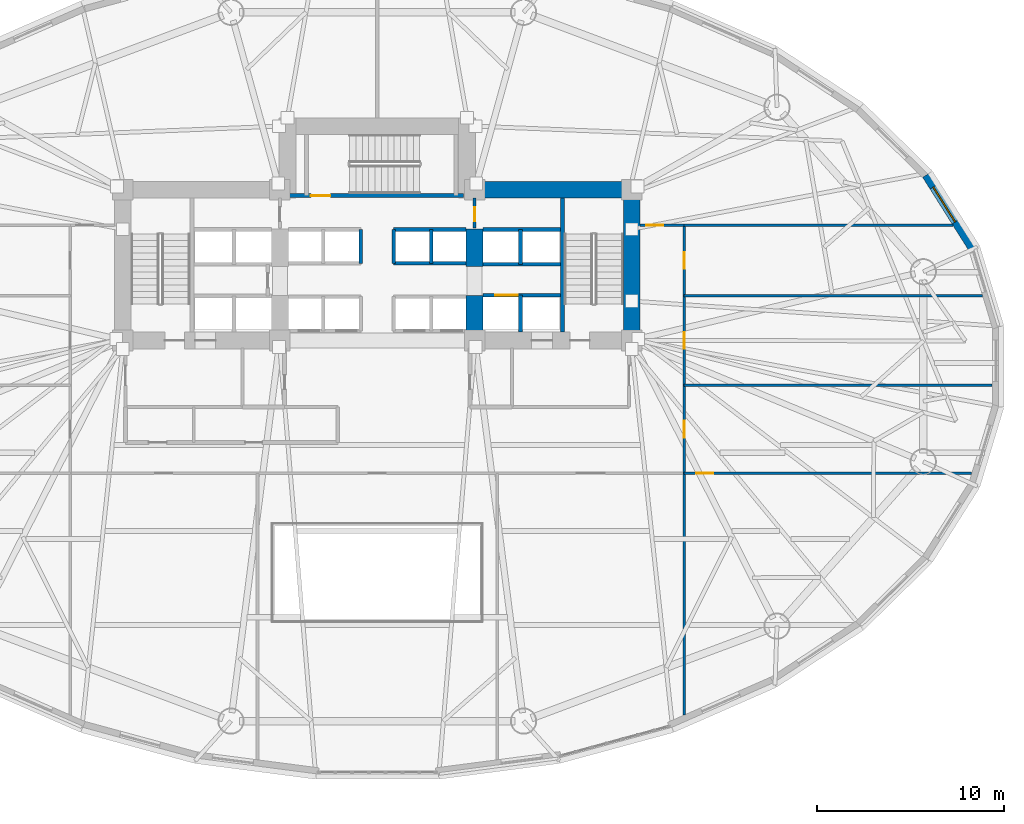
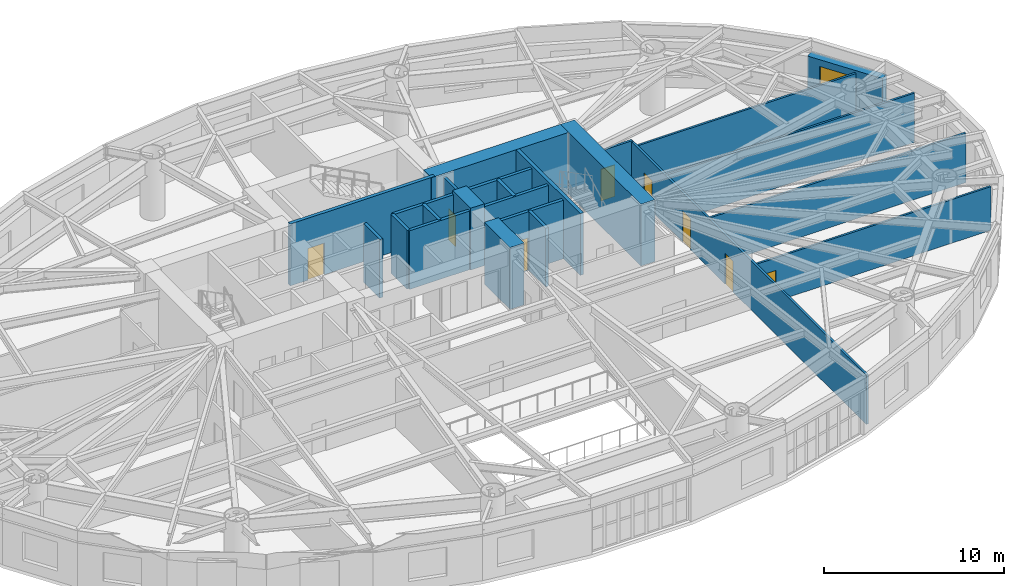
# One storey, part 11 of 19: 24 walls, 8 doors, 1 window, 9 openings.
"""IFC4 building model written with IfcOpenShell, lengths in metres."""

from ifc_helpers import new_model, si_unit, direction, frame, frame_2d, origin, place, context, subcontext, project, spatial, rectangle, extrude, material, layer, layer_set, type_object, element, fill, save


model = new_model("IFC4")

# Units and contexts
model_context = context("Model", 3, precision=1e-05, world=origin(), true_north=direction((0.0, 1.0)))
body_context = subcontext(model_context, "Body", "Model", "MODEL_VIEW")
ifc_project = project(units=[si_unit("LENGTHUNIT", "METRE"), si_unit("AREAUNIT", "SQUARE_METRE"), si_unit("VOLUMEUNIT", "CUBIC_METRE"), si_unit("PLANEANGLEUNIT", "RADIAN"), si_unit("MASSUNIT", "GRAM", prefix="KILO")], contexts=[model_context])

# Site, building, storey
site_placement = place(None, origin())
site = spatial("IfcSite", under=ifc_project, at=site_placement, CompositionType="ELEMENT")
building_placement = place(site_placement, origin())
building = spatial("IfcBuilding", under=site, at=building_placement, Name="Keldmark Tower", CompositionType="ELEMENT")
storey_placement = place(building_placement, frame((0.0, 0.0, 10.199951171875)))
storey = spatial("IfcBuildingStorey", under=building, at=storey_placement, Name="L02", CompositionType="ELEMENT", Elevation=10.199951171875)

# Wall, openings, doors
ifc_material_1 = material(Name="Acoustic Double-Layer Gypsum Corridor Partition", Category="gypsum")
ifc_layer_1 = layer(ifc_material_1, 0.139892578125)
ifc_layer_set_1 = layer_set([ifc_layer_1], Name="Acoustic Double-Layer Gypsum Corridor Partition")
wall_type_1 = type_object("IfcWallType", Name="Acoustic Corridor Partition 140 mm", PredefinedType="PARTITIONING", material=ifc_layer_set_1)
wall_1_placement = place(storey_placement, frame((16.39990234375, -18.6025390625, 0.0), z_axis=(0.0, 0.0, 1.0), x_axis=(0.0, 1.0, 0.0)))
wall_1 = element("IfcWall", 1, at=wall_1_placement, inside=storey, type_object=wall_type_1, Name="L02 Acoustic Corridor Partition 140 mm COR-E", PredefinedType="PARTITIONING", context=body_context, shape_type="SweptSolid", body=[
    extrude(rectangle(XDim=26.152587890625, YDim=0.139892578125, at=frame_2d((13.076171875, 0.0))), origin(), (0.0, 0.0, 1.0), 3.34814453125),
])
opening_1_placement = place(wall_1_placement, frame((14.80224609375, 0.0, 0.0)))
opening_1 = element("IfcOpeningElement", 2, at=opening_1_placement, cuts=wall_1, Name="Opening D-IN090", PredefinedType="OPENING", context=body_context, shape_type="SweptSolid", body=[
    extrude(rectangle(XDim=0.89990234375, YDim=2.10009765625, at=frame_2d((0.449951171875, 1.050048828125))), frame((0.0, 0.079833984375, 0.0), z_axis=(0.0, -1.0, 0.0), x_axis=(1.0, 0.0, 0.0)), (0.0, 0.0, 1.0), 0.159912109375),
])
opening_2_placement = place(wall_1_placement, frame((19.55224609375, 0.0, 0.0)))
opening_2 = element("IfcOpeningElement", 3, at=opening_2_placement, cuts=wall_1, Name="Opening D-IN090", PredefinedType="OPENING", context=body_context, shape_type="SweptSolid", body=[
    extrude(rectangle(XDim=0.89990234375, YDim=2.10009765625, at=frame_2d((0.449951171875, 1.050048828125))), frame((0.0, 0.079833984375, 0.0), z_axis=(0.0, -1.0, 0.0), x_axis=(1.0, 0.0, 0.0)), (0.0, 0.0, 1.0), 0.159912109375),
])
opening_3_placement = place(wall_1_placement, frame((23.827392578125, 0.0, 0.0)))
opening_3 = element("IfcOpeningElement", 4, at=opening_3_placement, cuts=wall_1, Name="Opening D-IN090", PredefinedType="OPENING", context=body_context, shape_type="SweptSolid", body=[
    extrude(rectangle(XDim=0.89990234375, YDim=2.10009765625, at=frame_2d((0.449951171875, 1.050048828125))), frame((0.0, 0.079833984375, 0.0), z_axis=(0.0, -1.0, 0.0), x_axis=(1.0, 0.0, 0.0)), (0.0, 0.0, 1.0), 0.159912109375),
])
ifc_material_2 = material(Name="Stained American White Oak Veneer", Category="wood")
door_type_1 = type_object("IfcDoorType", Name="Interior Door 900x2100", OperationType="NOTDEFINED", PredefinedType="DOOR", material=ifc_material_2)
door_1_placement = place(opening_1_placement, origin())
door_1 = element("IfcDoor", 5, at=door_1_placement, inside=storey, type_object=door_type_1, Name="L02 Interior Door 900x2100 D-ER-1-L02", OperationType="SINGLE_SWING_RIGHT", OverallHeight=2.10009765625, OverallWidth=0.89990234375, PredefinedType="DOOR", context=body_context, shape_type="SweptSolid", body=[
    extrude(rectangle(XDim=0.89990234375, YDim=2.10009765625, at=frame_2d((0.449951171875, 1.050048828125))), frame((0.0, 0.02490234375, 0.0), z_axis=(0.0, -1.0, 0.0), x_axis=(1.0, 0.0, 0.0)), (0.0, 0.0, 1.0), 0.050048828125),
])
fill(opening_1, door_1)
door_2_placement = place(opening_2_placement, origin())
door_2 = element("IfcDoor", 6, at=door_2_placement, inside=storey, type_object=door_type_1, Name="L02 Interior Door 900x2100 D-ER-2-L02", OperationType="SINGLE_SWING_LEFT", OverallHeight=2.10009765625, OverallWidth=0.89990234375, PredefinedType="DOOR", context=body_context, shape_type="SweptSolid", body=[
    extrude(rectangle(XDim=0.89990234375, YDim=2.10009765625, at=frame_2d((0.449951171875, 1.050048828125))), frame((0.0, 0.02490234375, 0.0), z_axis=(0.0, -1.0, 0.0), x_axis=(1.0, 0.0, 0.0)), (0.0, 0.0, 1.0), 0.050048828125),
])
fill(opening_2, door_2)
door_3_placement = place(opening_3_placement, origin())
door_3 = element("IfcDoor", 7, at=door_3_placement, inside=storey, type_object=door_type_1, Name="L02 Interior Door 900x2100 D-ER-3-L02", OperationType="SINGLE_SWING_RIGHT", OverallHeight=2.10009765625, OverallWidth=0.89990234375, PredefinedType="DOOR", context=body_context, shape_type="SweptSolid", body=[
    extrude(rectangle(XDim=0.89990234375, YDim=2.10009765625, at=frame_2d((0.449951171875, 1.050048828125))), frame((0.0, 0.02490234375, 0.0), z_axis=(0.0, -1.0, 0.0), x_axis=(1.0, 0.0, 0.0)), (0.0, 0.0, 1.0), 0.050048828125),
])
fill(opening_3, door_3)

# Wall, opening, door
wall_2_placement = place(storey_placement, frame((14.050048828125, 7.550048828125, 0.0), z_axis=(0.0, 0.0, 1.0), x_axis=(1.0, 0.0, 0.0)))
wall_2 = element("IfcWall", 8, at=wall_2_placement, inside=storey, type_object=wall_type_1, Name="L02 Acoustic Corridor Partition 140 mm COR-EN-CAP", PredefinedType="PARTITIONING", context=body_context, shape_type="SweptSolid", body=[
    extrude(rectangle(XDim=2.349853515625, YDim=0.139892578125, at=frame_2d((1.1748046875, 0.0))), origin(), (0.0, 0.0, 1.0), 3.43310546875),
])
opening_4_placement = place(wall_2_placement, frame((0.320068359375, 0.0, 0.0)))
opening_4 = element("IfcOpeningElement", 9, at=opening_4_placement, cuts=wall_2, Name="Opening D-EX092", PredefinedType="OPENING", context=body_context, shape_type="SweptSolid", body=[
    extrude(rectangle(XDim=0.919921875, YDim=2.14990234375, at=frame_2d((0.4599609375, 1.074951171875))), frame((0.0, 0.079833984375, 0.0), z_axis=(0.0, -1.0, 0.0), x_axis=(1.0, 0.0, 0.0)), (0.0, 0.0, 1.0), 0.159912109375),
])
ifc_material_3 = material(Name="Flush American Ash Executive Office Door", Category="wood")
door_type_2 = type_object("IfcDoorType", Name="Executive Office Door 920x2150", OperationType="NOTDEFINED", PredefinedType="DOOR", material=ifc_material_3)
door_4_placement = place(opening_4_placement, origin())
door_4 = element("IfcDoor", 10, at=door_4_placement, inside=storey, type_object=door_type_2, Name="L02 Executive Office Door 920x2150 D-NRNE-L02", OperationType="SINGLE_SWING_RIGHT", OverallHeight=2.14990234375, OverallWidth=0.919921875, PredefinedType="DOOR", context=body_context, shape_type="SweptSolid", body=[
    extrude(rectangle(XDim=0.919921875, YDim=2.14990234375, at=frame_2d((0.4599609375, 1.074951171875))), frame((0.0, 0.02490234375, 0.0), z_axis=(0.0, -1.0, 0.0), x_axis=(1.0, 0.0, 0.0)), (0.0, 0.0, 1.0), 0.050048828125),
])
fill(opening_4, door_4)

# Wall
ifc_material_4 = material(Name="Acoustic Gypsum Board Interior Partition", Category="gypsum")
ifc_layer_2 = layer(ifc_material_4, 0.1298828125)
ifc_layer_set_2 = layer_set([ifc_layer_2], Name="Acoustic Gypsum Board Interior Partition")
wall_type_2 = type_object("IfcWallType", Name="Interior Partition 130 mm", PredefinedType="PARTITIONING", material=ifc_layer_set_2)
wall_3_placement = place(storey_placement, frame((16.39990234375, 7.550048828125, 0.0), z_axis=(0.0, 0.0, 1.0), x_axis=(1.0, 0.0, 0.0)))
element("IfcWall", 11, at=wall_3_placement, inside=storey, type_object=wall_type_2, Name="L02 Interior Partition 130 mm E-CAP-N", PredefinedType="PARTITIONING", context=body_context, shape_type="SweptSolid", body=[
    extrude(rectangle(XDim=14.3466796875, YDim=0.1298828125, at=frame_2d((7.17333984375, 0.0))), origin(), (0.0, 0.0, 1.0), 2.9580078125),
])

# Wall, opening, door
wall_4_placement = place(storey_placement, frame((16.39990234375, -5.699951171875, 0.0), z_axis=(0.0, 0.0, 1.0), x_axis=(1.0, 0.0, 0.0)))
wall_4 = element("IfcWall", 12, at=wall_4_placement, inside=storey, type_object=wall_type_2, Name="L02 Interior Partition 130 mm E-CAP-S", PredefinedType="PARTITIONING", context=body_context, shape_type="SweptSolid", body=[
    extrude(rectangle(XDim=15.355712890625, YDim=0.1298828125, at=frame_2d((7.677734375, 0.0))), origin(), (0.0, 0.0, 1.0), 2.9580078125),
])
opening_5_placement = place(wall_4_placement, frame((0.64990234375, 0.0, 0.0)))
opening_5 = element("IfcOpeningElement", 13, at=opening_5_placement, cuts=wall_4, Name="Opening D-IN090", PredefinedType="OPENING", context=body_context, shape_type="SweptSolid", body=[
    extrude(rectangle(XDim=0.89990234375, YDim=2.10009765625, at=frame_2d((0.449951171875, 1.050048828125))), frame((0.0, 0.074951171875, 0.0), z_axis=(0.0, -1.0, 0.0), x_axis=(1.0, 0.0, 0.0)), (0.0, 0.0, 1.0), 0.14990234375),
])
door_5_placement = place(opening_5_placement, origin())
door_5 = element("IfcDoor", 14, at=door_5_placement, inside=storey, type_object=door_type_1, Name="L02 Interior Door 900x2100 D-ERSE-L02", OperationType="SINGLE_SWING_RIGHT", OverallHeight=2.10009765625, OverallWidth=0.89990234375, PredefinedType="DOOR", context=body_context, shape_type="SweptSolid", body=[
    extrude(rectangle(XDim=0.89990234375, YDim=2.10009765625, at=frame_2d((0.449951171875, 1.050048828125))), frame((0.0, 0.02490234375, 0.0), z_axis=(0.0, -1.0, 0.0), x_axis=(1.0, 0.0, 0.0)), (0.0, 0.0, 1.0), 0.050048828125),
])
fill(opening_5, door_5)

# Walls
wall_5_placement = place(storey_placement, frame((16.39990234375, -1.0, 0.0), z_axis=(0.0, 0.0, 1.0), x_axis=(1.0, 0.0, 0.0)))
element("IfcWall", 15, at=wall_5_placement, inside=storey, type_object=wall_type_2, Name="L02 Interior Partition 130 mm E-DIV-1", PredefinedType="PARTITIONING", context=body_context, shape_type="SweptSolid", body=[
    extrude(rectangle(XDim=16.45068359375, YDim=0.1298828125, at=frame_2d((8.225341796875, 0.0))), origin(), (0.0, 0.0, 1.0), 3.34814453125),
])
wall_6_placement = place(storey_placement, frame((16.39990234375, 3.800048828125, 0.0), z_axis=(0.0, 0.0, 1.0), x_axis=(1.0, 0.0, 0.0)))
element("IfcWall", 16, at=wall_6_placement, inside=storey, type_object=wall_type_2, Name="L02 Interior Partition 130 mm E-DIV-2", PredefinedType="PARTITIONING", context=body_context, shape_type="SweptSolid", body=[
    extrude(rectangle(XDim=15.93115234375, YDim=0.1298828125, at=frame_2d((7.965576171875, 0.0))), origin(), (0.0, 0.0, 1.0), 3.34814453125),
])
ifc_material_5 = material(Name="Concrete C70/85", Category="concrete")
ifc_layer_3 = layer(ifc_material_5, 0.89990234375)
ifc_layer_set_3 = layer_set([ifc_layer_3], Name="Concrete C70/85")
wall_type_3 = type_object("IfcWallType", Name="Lower Core Shear Wall 900 mm", PredefinedType="SHEAR", material=ifc_layer_set_3)
wall_7_placement = place(storey_placement, frame((13.60009765625, 0.949951171875, 0.0), z_axis=(0.0, 0.0, 1.0), x_axis=(0.0, 1.0, 0.0)))
element("IfcWall", 17, at=wall_7_placement, inside=storey, type_object=wall_type_3, Name="L02 East Core Outer Shear Wall", PredefinedType="SHEAR", context=body_context, shape_type="SweptSolid", body=[
    extrude(rectangle(XDim=8.949951171875, YDim=0.89990234375, at=frame_2d((4.47509765625, 0.0))), origin(), (0.0, 0.0, 1.0), 4.199951171875),
])
wall_8_placement = place(storey_placement, frame((4.35009765625, 9.449951171875, 0.0), z_axis=(0.0, 0.0, 1.0), x_axis=(1.0, 0.0, 0.0)))
element("IfcWall", 18, at=wall_8_placement, inside=storey, type_object=wall_type_3, Name="L02 East Core North Shear Wall", PredefinedType="SHEAR", context=body_context, shape_type="SweptSolid", body=[
    extrude(rectangle(XDim=9.699951171875, YDim=0.89990234375, at=frame_2d((4.85009765625, 0.0))), origin(), (0.0, 0.0, 1.0), 4.199951171875),
])
wall_9_placement = place(storey_placement, frame((5.199951171875, 0.949951171875, 0.0), z_axis=(0.0, 0.0, 1.0), x_axis=(0.0, 1.0, 0.0)))
element("IfcWall", 19, at=wall_9_placement, inside=storey, type_object=wall_type_3, Name="L02 East Core Inner Shear Pier South", PredefinedType="SHEAR", context=body_context, shape_type="SweptSolid", body=[
    extrude(rectangle(XDim=2.85009765625, YDim=0.89990234375, at=frame_2d((1.425048828125, 0.0))), origin(), (0.0, 0.0, 1.0), 4.199951171875),
])
wall_10_placement = place(storey_placement, frame((5.199951171875, 5.35009765625, 0.0), z_axis=(0.0, 0.0, 1.0), x_axis=(0.0, 1.0, 0.0)))
element("IfcWall", 20, at=wall_10_placement, inside=storey, type_object=wall_type_3, Name="L02 East Core Inner Shear Pier North", PredefinedType="SHEAR", context=body_context, shape_type="SweptSolid", body=[
    extrude(rectangle(XDim=2.0, YDim=0.89990234375, at=frame_2d((1.0, 0.0))), origin(), (0.0, 0.0, 1.0), 4.199951171875),
])

# Wall, opening, window
ifc_material_6 = material(Name="Ironspot Manganese Brick and Kasota Buff Limestone Cavity Assembly", Category="masonry")
ifc_layer_4 = layer(ifc_material_6, 0.47998046875)
ifc_layer_set_4 = layer_set([ifc_layer_4], Name="Ironspot Manganese Brick and Kasota Buff Limestone Cavity Assembly")
wall_type_4 = type_object("IfcWallType", Name="Podium Brick and Limestone Cavity Wall 480 mm", PredefinedType="STANDARD", material=ifc_layer_set_4)
wall_11_placement = place(storey_placement, frame((29.34130859375, 10.24267578125, 0.0), z_axis=(0.0, 0.0, 1.0), x_axis=(0.53349762721, -0.845801561693, 0.0)))
wall_11 = element("IfcWall", 21, at=wall_11_placement, inside=storey, type_object=wall_type_4, Name="L02 Exterior Brick and Spandrel Wall 02", PredefinedType="STANDARD", context=body_context, shape_type="SweptSolid", body=[
    extrude(rectangle(XDim=4.710693359375, YDim=0.47998046875, at=frame_2d((2.35546875, 0.0))), origin(), (0.0, 0.0, 1.0), 3.109130859375),
])
opening_6_placement = place(wall_11_placement, frame((0.739990234375, 0.0, 0.699951171875)))
opening_6 = element("IfcOpeningElement", 22, at=opening_6_placement, cuts=wall_11, Name="Opening W-01", PredefinedType="OPENING", context=body_context, shape_type="SweptSolid", body=[
    extrude(rectangle(XDim=2.199951171875, YDim=1.949951171875, at=frame_2d((1.10009765625, 0.97509765625))), frame((0.0, 0.25, 0.0), z_axis=(0.0, -1.0, 0.0), x_axis=(1.0, 0.0, 0.0)), (0.0, 0.0, 1.0), 0.5),
])
ifc_material_7 = material(Name="Thermally Broken Anodized Aluminum and Triple Low-E Argon Glazing", Category="aluminium")
window_type = type_object("IfcWindowType", Name="Podium Arched-Head Punched Window 2200x1950", PartitioningType="SINGLE_PANEL", PredefinedType="WINDOW", material=ifc_material_7)
window_placement = place(opening_6_placement, origin())
window = element("IfcWindow", 23, at=window_placement, inside=storey, type_object=window_type, Name="L02 Deep-Set Window 02", OverallHeight=1.949951171875, OverallWidth=2.199951171875, PartitioningType="SINGLE_PANEL", PredefinedType="WINDOW", context=body_context, shape_type="SweptSolid", body=[
    extrude(rectangle(XDim=2.199951171875, YDim=1.949951171875, at=frame_2d((1.10009765625, 0.97509765625))), frame((0.0, -0.010009765625, 0.0), z_axis=(0.0, -1.0, 0.0), x_axis=(1.0, 0.0, 0.0)), (0.0, 0.0, 1.0), 0.06005859375),
])
fill(opening_6, window)

# Wall, opening, door
ifc_material_8 = material(Name="Type X Fire-Rated Gypsum Partition Assembly", Category="gypsum")
ifc_layer_5 = layer(ifc_material_8, 0.1650390625)
ifc_layer_set_5 = layer_set([ifc_layer_5], Name="Type X Fire-Rated Gypsum Partition Assembly")
wall_type_5 = type_object("IfcWallType", Name="Rated Partition 165 mm", PredefinedType="PARTITIONING", material=ifc_layer_set_5)
wall_12_placement = place(storey_placement, frame((5.199951171875, 7.419921875, 0.0), z_axis=(0.0, 0.0, 1.0), x_axis=(0.0, 1.0, 0.0)))
wall_12 = element("IfcWall", 24, at=wall_12_placement, inside=storey, type_object=wall_type_5, Name="L02 Rated Partition 165 mm CS-NE-W", PredefinedType="PARTITIONING", context=body_context, shape_type="SweptSolid", body=[
    extrude(rectangle(XDim=1.580078125, YDim=0.1650390625, at=frame_2d((0.7900390625, 0.0))), origin(), (0.0, 0.0, 1.0), 3.97998046875),
])
opening_7_placement = place(wall_12_placement, frame((0.35009765625, 0.0, 0.0)))
opening_7 = element("IfcOpeningElement", 25, at=opening_7_placement, cuts=wall_12, Name="Opening D-RS075", PredefinedType="OPENING", context=body_context, shape_type="SweptSolid", body=[
    extrude(rectangle(XDim=0.75, YDim=2.10009765625, at=frame_2d((0.375, 1.050048828125))), frame((0.0, 0.092529296875, 0.0), z_axis=(0.0, -1.0, 0.0), x_axis=(1.0, 0.0, 0.0)), (0.0, 0.0, 1.0), 0.18505859375),
])
ifc_material_9 = material(Name="Galvanized Fire-Rated Access Leaf", Category="metal")
door_type_3 = type_object("IfcDoorType", Name="Riser Access Door 750x2100", OperationType="NOTDEFINED", PredefinedType="DOOR", material=ifc_material_9)
door_6_placement = place(opening_7_placement, origin())
door_6 = element("IfcDoor", 26, at=door_6_placement, inside=storey, type_object=door_type_3, Name="L02 Riser Access Door 750x2100 D-CSNE1-L02", OperationType="SINGLE_SWING_LEFT", OverallHeight=2.10009765625, OverallWidth=0.75, PredefinedType="DOOR", context=body_context, shape_type="SweptSolid", body=[
    extrude(rectangle(XDim=0.75, YDim=2.10009765625, at=frame_2d((0.375, 1.050048828125))), frame((0.0, 0.02490234375, 0.0), z_axis=(0.0, -1.0, 0.0), x_axis=(1.0, 0.0, 0.0)), (0.0, 0.0, 1.0), 0.050048828125),
])
fill(opening_7, door_6)

ifc_material_10 = material(Name="Fire-Resistant Type X Gypsum Shaftliner Coreboard", Category="gypsum")
ifc_layer_6 = layer(ifc_material_10, 0.199951171875)
ifc_layer_set_6 = layer_set([ifc_layer_6], Name="Fire-Resistant Type X Gypsum Shaftliner Coreboard")
wall_type_6 = type_object("IfcWallType", Name="Shaft Wall 200 mm", PredefinedType="SOLIDWALL", material=ifc_layer_set_6)
wall_13_placement = place(storey_placement, frame((5.64990234375, 3.820068359375, 0.0), z_axis=(0.0, 0.0, 1.0), x_axis=(1.0, 0.0, 0.0)))
wall_13 = element("IfcWall", 27, at=wall_13_placement, inside=storey, type_object=wall_type_6, Name="L02 Shaft Wall 200 mm HW-E-S", PredefinedType="SOLIDWALL", context=body_context, shape_type="SweptSolid", body=[
    extrude(rectangle(XDim=4.130126953125, YDim=0.199951171875, at=frame_2d((2.06494140625, 0.0))), origin(), (0.0, 0.0, 1.0), 3.97998046875),
])
opening_8_placement = place(wall_13_placement, frame((0.64990234375, 0.0, 0.0)))
opening_8 = element("IfcOpeningElement", 28, at=opening_8_placement, cuts=wall_13, Name="Opening LD-120", PredefinedType="OPENING", context=body_context, shape_type="SweptSolid", body=[
    extrude(rectangle(XDim=1.199951171875, YDim=2.199951171875, at=frame_2d((0.60009765625, 1.10009765625))), frame((0.0, 0.10986328125, 0.0), z_axis=(0.0, -1.0, 0.0), x_axis=(1.0, 0.0, 0.0)), (0.0, 0.0, 1.0), 0.219970703125),
])
ifc_material_11 = material(Name="Heavy-Duty Brushed Metal Hoistway Sliding Leaf", Category="metal")
door_type_4 = type_object("IfcDoorType", Name="Service Lift Sliding Door 1200x2200", OperationType="SLIDING_TO_RIGHT", PredefinedType="DOOR", material=ifc_material_11)
door_7_placement = place(opening_8_placement, origin())
door_7 = element("IfcDoor", 29, at=door_7_placement, inside=storey, type_object=door_type_4, Name="L02 Service Lift Sliding Door 1200x2200 LD-EL-SV1-L02", OperationType="SLIDING_TO_RIGHT", OverallHeight=2.199951171875, OverallWidth=1.199951171875, PredefinedType="DOOR", context=body_context, shape_type="SweptSolid", body=[
    extrude(rectangle(XDim=1.199951171875, YDim=2.199951171875, at=frame_2d((0.60009765625, 1.10009765625))), frame((0.0, 0.02490234375, 0.0), z_axis=(0.0, -1.0, 0.0), x_axis=(1.0, 0.0, 0.0)), (0.0, 0.0, 1.0), 0.050048828125),
])
fill(opening_8, door_7)

# Walls
wall_14_placement = place(storey_placement, frame((7.64990234375, 1.85009765625, 0.0), z_axis=(0.0, 0.0, 1.0), x_axis=(0.0, 1.0, 0.0)))
element("IfcWall", 30, at=wall_14_placement, inside=storey, type_object=wall_type_6, Name="L02 Shaft Wall 200 mm HW-E-M", PredefinedType="SOLIDWALL", context=body_context, shape_type="SweptSolid", body=[
    extrude(rectangle(XDim=1.969970703125, YDim=0.199951171875, at=frame_2d((0.98486328125, 0.0))), origin(), (0.0, 0.0, 1.0), 3.97998046875),
])
for number, where, z_axis, x_axis, name in (
    (31, (5.64990234375, 5.469970703125, 0.0), (0.0, 0.0, 1.0), (1.0, 0.0, 0.0), "L02 Shaft Wall 200 mm HW-E-N"),
    (32, (5.64990234375, 7.330078125, 0.0), (0.0, 0.0, 1.0), (1.0, 0.0, 0.0), "L02 Shaft Wall 200 mm HW-E-TOP"),
):
    element("IfcWall", number, at=place(storey_placement, frame(where, z_axis=z_axis, x_axis=x_axis)), inside=storey, type_object=wall_type_6, Name=name, PredefinedType="SOLIDWALL", context=body_context, shape_type="SweptSolid", body=[
        extrude(rectangle(XDim=4.130126953125, YDim=0.199951171875, at=frame_2d((2.06494140625, 0.0))), origin(), (0.0, 0.0, 1.0), 3.97998046875),
    ])
wall_15_placement = place(storey_placement, frame((7.64990234375, 5.469970703125, 0.0), z_axis=(0.0, 0.0, 1.0), x_axis=(0.0, 1.0, 0.0)))
element("IfcWall", 33, at=wall_15_placement, inside=storey, type_object=wall_type_6, Name="L02 Shaft Wall 200 mm HW-E-NM", PredefinedType="SOLIDWALL", context=body_context, shape_type="SweptSolid", body=[
    extrude(rectangle(XDim=1.860107421875, YDim=0.199951171875, at=frame_2d((0.93017578125, 0.0))), origin(), (0.0, 0.0, 1.0), 3.97998046875),
])
for number, where, z_axis, x_axis, name in (
    (34, (0.8798828125, 5.52001953125, 0.0), (0.0, 0.0, 1.0), (1.0, 0.0, 0.0), "L02 Shaft Wall 200 mm MID-S-E"),
    (35, (0.8798828125, 7.330078125, 0.0), (0.0, 0.0, 1.0), (1.0, 0.0, 0.0), "L02 Shaft Wall 200 mm MID-N-E"),
):
    element("IfcWall", number, at=place(storey_placement, frame(where, z_axis=z_axis, x_axis=x_axis)), inside=storey, type_object=wall_type_6, Name=name, PredefinedType="SOLIDWALL", context=body_context, shape_type="SweptSolid", body=[
        extrude(rectangle(XDim=3.860107421875, YDim=0.199951171875, at=frame_2d((1.93017578125, 0.0))), origin(), (0.0, 0.0, 1.0), 3.97998046875),
    ])
for number, where, z_axis, x_axis, name in (
    (36, (2.8798828125, 5.52001953125, 0.0), (0.0, 0.0, 1.0), (0.0, 1.0, 0.0), "L02 Shaft Wall 200 mm MID-M-E"),
    (37, (-0.8798828125, 5.52001953125, 0.0), (0.0, 0.0, 1.0), (0.0, 1.0, 0.0), "L02 Shaft Wall 200 mm MID-C-W"),
    (38, (0.8798828125, 5.52001953125, 0.0), (0.0, 0.0, 1.0), (0.0, 1.0, 0.0), "L02 Shaft Wall 200 mm MID-C-E"),
):
    element("IfcWall", number, at=place(storey_placement, frame(where, z_axis=z_axis, x_axis=x_axis)), inside=storey, type_object=wall_type_6, Name=name, PredefinedType="SOLIDWALL", context=body_context, shape_type="SweptSolid", body=[
        extrude(rectangle(XDim=1.81005859375, YDim=0.199951171875, at=frame_2d((0.905029296875, 0.0))), origin(), (0.0, 0.0, 1.0), 3.97998046875),
    ])
ifc_material_12 = material(Name="Concrete C50/60", Category="concrete")
ifc_layer_7 = layer(ifc_material_12, 0.219970703125)
ifc_layer_set_7 = layer_set([ifc_layer_7], Name="Concrete C50/60")
wall_type_7 = type_object("IfcWallType", Name="Stair Core Shear Wall 220 mm", PredefinedType="SHEAR", material=ifc_layer_set_7)
wall_16_placement = place(storey_placement, frame((9.889892578125, 1.85009765625, 0.0), z_axis=(0.0, 0.0, 1.0), x_axis=(0.0, 1.0, 0.0)))
element("IfcWall", 39, at=wall_16_placement, inside=storey, type_object=wall_type_7, Name="L02 East Stair Core Shear Wall", PredefinedType="SHEAR", context=body_context, shape_type="SweptSolid", body=[
    extrude(rectangle(XDim=7.14990234375, YDim=0.219970703125, at=frame_2d((3.574951171875, 0.0))), origin(), (0.0, 0.0, 1.0), 4.199951171875),
])

# Wall, opening, door
wall_17_placement = place(storey_placement, frame((-4.699951171875, 9.139892578125, 0.0), z_axis=(0.0, 0.0, 1.0), x_axis=(1.0, 0.0, 0.0)))
wall_17 = element("IfcWall", 40, at=wall_17_placement, inside=storey, type_object=wall_type_7, Name="L02 Central Stair Core South Shear Wall", PredefinedType="SHEAR", context=body_context, shape_type="SweptSolid", body=[
    extrude(rectangle(XDim=9.300048828125, YDim=0.219970703125, at=frame_2d((4.64990234375, 0.0))), origin(), (0.0, 0.0, 1.0), 4.199951171875),
])
opening_9_placement = place(wall_17_placement, frame((1.14990234375, 0.0, 0.0)))
opening_9 = element("IfcOpeningElement", 41, at=opening_9_placement, cuts=wall_17, Name="Opening D-ST105", PredefinedType="OPENING", context=body_context, shape_type="SweptSolid", body=[
    extrude(rectangle(XDim=1.050048828125, YDim=2.14990234375, at=frame_2d((0.52490234375, 1.074951171875))), frame((0.0, 0.119873046875, 0.0), z_axis=(0.0, -1.0, 0.0), x_axis=(1.0, 0.0, 0.0)), (0.0, 0.0, 1.0), 0.239990234375),
])
ifc_material_13 = material(Name="Hollow Metal Fire-Rated Door Assembly", Category="metal")
door_type_5 = type_object("IfcDoorType", Name="Stair Fire Door 1050x2150", OperationType="NOTDEFINED", PredefinedType="DOOR", material=ifc_material_13)
door_8_placement = place(opening_9_placement, origin())
door_8 = element("IfcDoor", 42, at=door_8_placement, inside=storey, type_object=door_type_5, Name="L02 Stair Fire Door 1050x2150 D-ST3-L02", OperationType="SINGLE_SWING_RIGHT", OverallHeight=2.14990234375, OverallWidth=1.050048828125, PredefinedType="DOOR", context=body_context, shape_type="SweptSolid", body=[
    extrude(rectangle(XDim=1.050048828125, YDim=2.14990234375, at=frame_2d((0.52490234375, 1.074951171875))), frame((0.0, 0.02490234375, 0.0), z_axis=(0.0, -1.0, 0.0), x_axis=(1.0, 0.0, 0.0)), (0.0, 0.0, 1.0), 0.050048828125),
])
fill(opening_9, door_8)

save(model, "model.ifc")
